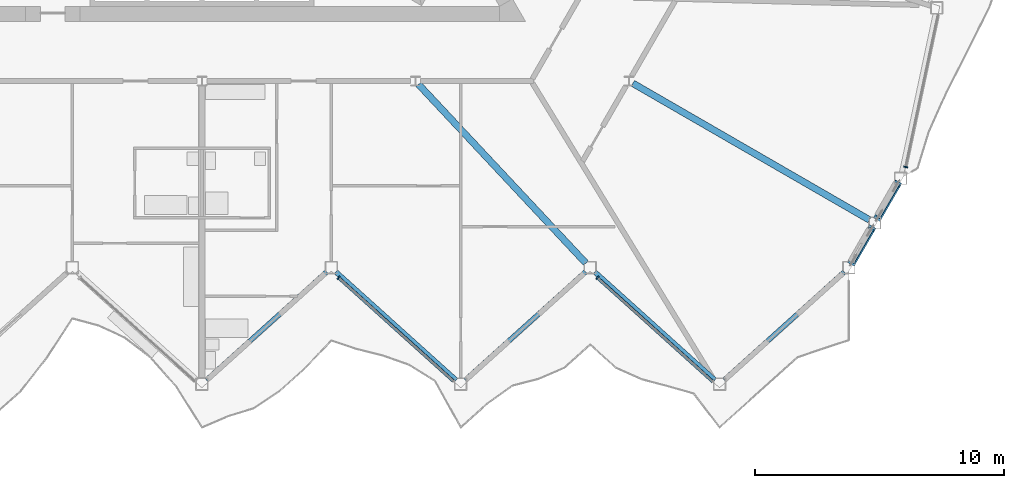
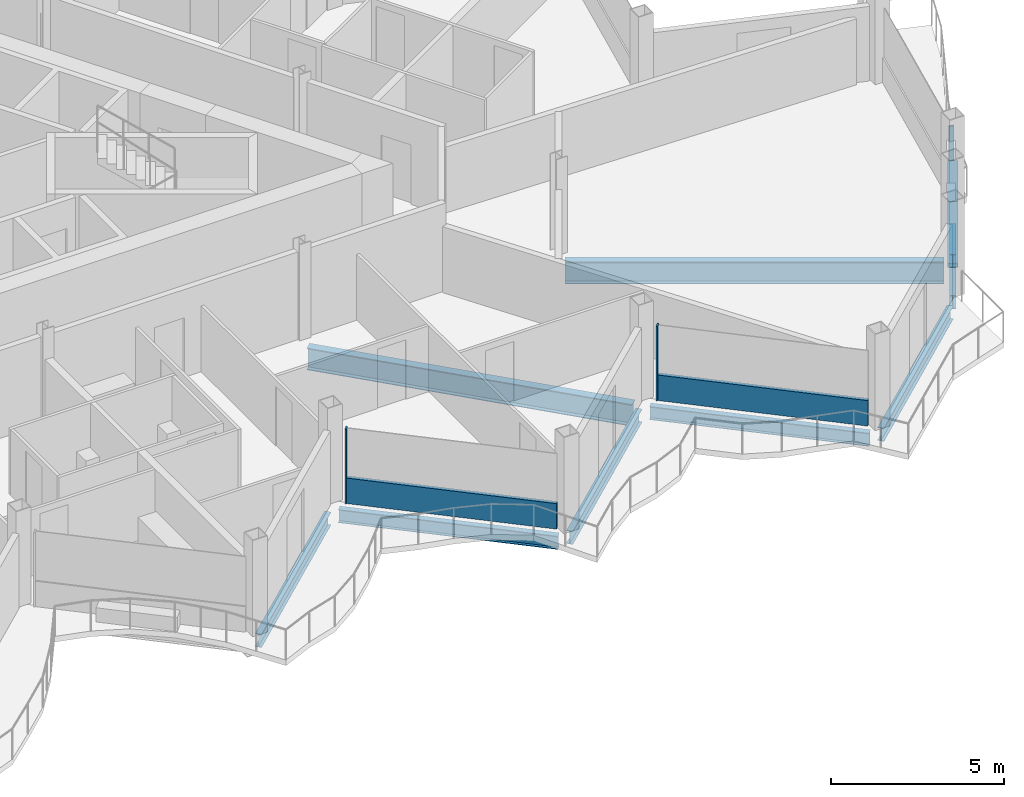
# One storey, part 7 of 26: 9 beams, 7 members, 3 elements without a shape of their own.
"""IFC4 building model written with IfcOpenShell, lengths in metres."""

from ifc_helpers import new_model, si_unit, direction, frame, origin, origin_2d, place, context, subcontext, project, spatial, rectangle, hollow_rectangle, i_section, extrude, material, layer, layer_set, material_profile, profile_set, type_object, element, aggregate, save


model = new_model("IFC4")

# Units and contexts
model_context = context("Model", 3, precision=1e-05, world=origin(), true_north=direction((0.0, 1.0)))
body_context = subcontext(model_context, "Body", "Model", "MODEL_VIEW")
ifc_project = project(units=[si_unit("LENGTHUNIT", "METRE"), si_unit("AREAUNIT", "SQUARE_METRE"), si_unit("VOLUMEUNIT", "CUBIC_METRE"), si_unit("PLANEANGLEUNIT", "RADIAN"), si_unit("MASSUNIT", "GRAM", prefix="KILO")], contexts=[model_context])

# Site, building, storey
site_placement = place(None, origin())
site = spatial("IfcSite", under=ifc_project, at=site_placement, CompositionType="ELEMENT")
building_placement = place(site_placement, origin())
building = spatial("IfcBuilding", under=site, at=building_placement, Name="Cormorant Prow Tower", CompositionType="ELEMENT")
storey_placement = place(building_placement, frame((0.0, 0.0, 398.39990234375)))
storey = spatial("IfcBuildingStorey", under=building, at=storey_placement, Name="L91", CompositionType="ELEMENT", Elevation=398.39990234375)

# Members
ifc_material_1 = material(Name="Structural steel ASTM A500 Gr C", Category="steel")
ifc_material_profile_1 = material_profile(ifc_material_1, hollow_rectangle(XDim=0.3046875, YDim=0.3046875, WallThickness=0.01171875, at=origin_2d()), Name="HSS12x12x1/2")
ifc_profile_set_1 = profile_set([ifc_material_profile_1], Name="Structural steel ASTM A500 Gr C")
member_type_1 = type_object("IfcMemberType", Name="Chamfer brace HSS12x12x1/2", PredefinedType="BRACE", material=ifc_profile_set_1)
member_1_placement = place(storey_placement, frame((26.123291015625, -17.192138671875, 0.770751953125), z_axis=(0.41132825952, 0.712359043209, 0.568641940485), x_axis=(-0.866000359435, 0.500043375578, 0.0)))
element("IfcMember", 1, at=member_1_placement, inside=storey, type_object=member_type_1, Name="Chamfer brace BR3 at ESE00 L91", PredefinedType="BRACE", context=body_context, shape_type="SweptSolid", body=[
    extrude(hollow_rectangle(XDim=0.3046875, YDim=0.3046875, WallThickness=0.01171875, at=origin_2d()), origin(), (0.0, 0.0, 1.0), 1.92138671875),
])
member_2_placement = place(storey_placement, frame((27.160400390625, -15.39599609375, 0.770751953125), z_axis=(0.411259909174, 0.712333680754, 0.568723143867), x_axis=(-0.866028632512, 0.499994407638, 0.0)))
element("IfcMember", 2, at=member_2_placement, inside=storey, type_object=member_type_1, Name="Chamfer brace BR3 at ESE01 L91", PredefinedType="BRACE", context=body_context, shape_type="SweptSolid", body=[
    extrude(hollow_rectangle(XDim=0.3046875, YDim=0.3046875, WallThickness=0.01171875, at=origin_2d()), origin(), (0.0, 0.0, 1.0), 1.921142578125),
])

# Beams
ifc_material_2 = material(Name="Structural steel ASTM A992 Gr 50", Category="steel")
ifc_material_profile_2 = material_profile(ifc_material_2, i_section(OverallWidth=0.267822265625, OverallDepth=0.77001953125, WebThickness=0.015625, FlangeThickness=0.025390625, at=origin_2d()), Name="W30x132")
ifc_profile_set_2 = profile_set([ifc_material_profile_2], Name="Structural steel ASTM A992 Gr 50")
beam_type_1 = type_object("IfcBeamType", Name="Radial floor beam W30x132", PredefinedType="BEAM", material=ifc_profile_set_2)
beam_1_placement = place(storey_placement, frame((8.706298828125, -10.0419921875, -0.684814453125), z_axis=(0.683430760659, -0.730015339144, 0.0), x_axis=(0.730015339144, 0.683430760659, 0.0)))
element("IfcBeam", 3, at=beam_1_placement, inside=storey, type_object=beam_type_1, Name="Radial floor beam FB3 8 L91", PredefinedType="BEAM", context=body_context, shape_type="SweptSolid", body=[
    extrude(i_section(OverallWidth=0.267822265625, OverallDepth=0.77001953125, WebThickness=0.015625, FlangeThickness=0.025390625, at=origin_2d()), origin(), (0.0, 0.0, 1.0), 9.8369140625),
])
beam_2_placement = place(storey_placement, frame((17.31884765625, -9.9990234375, -0.684814453125), z_axis=(0.866018830095, -0.500011385791, 0.0), x_axis=(0.500011385791, 0.866018830095, 0.0)))
element("IfcBeam", 4, at=beam_2_placement, inside=storey, type_object=beam_type_1, Name="Radial floor beam FB3 9 L91", PredefinedType="BEAM", context=body_context, shape_type="SweptSolid", body=[
    extrude(i_section(OverallWidth=0.267822265625, OverallDepth=0.77001953125, WebThickness=0.015625, FlangeThickness=0.025390625, at=origin_2d()), origin(), (0.0, 0.0, 1.0), 10.971435546875),
])

# Curtain wall, member
ifc_material_3 = material(Name="Aluminium 6063-T6", Category="aluminium")
ifc_layer = layer(ifc_material_3, 0.159912109375)
ifc_layer_set = layer_set([ifc_layer], Name="Aluminium 6063-T6")
curtain_wall_type = type_object("IfcCurtainWallType", Name="Residential unitised curtain wall 160", PredefinedType="NOTDEFINED", material=ifc_layer_set)
curtain_wall_1_placement = place(storey_placement, origin())
curtain_wall_1 = element("IfcCurtainWall", 5, at=curtain_wall_1_placement, inside=storey, type_object=curtain_wall_type, Name="Residential curtain wall S06", PredefinedType="NOTDEFINED")
ifc_material_4 = material(Name="Aluminium 6063-T6", Category="aluminium")
ifc_material_profile_3 = material_profile(ifc_material_4, rectangle(XDim=0.159912109375, YDim=0.050048828125, at=origin_2d()), Name="Residential mullion 50x160")
ifc_profile_set_3 = profile_set([ifc_material_profile_3], Name="Aluminium 6063-T6")
member_type_2 = type_object("IfcMemberType", Name="Residential mullion 50x160", PredefinedType="MULLION", material=ifc_profile_set_3)
member_3_placement = place(storey_placement, frame((5.490478515625, -17.810546875, 0.0), z_axis=(0.0, 0.0, 1.0), x_axis=(0.669130603959, 0.743144827638, 0.0)))
member_3 = element("IfcMember", 6, at=member_3_placement, type_object=member_type_2, Name="Residential mullion S06", PredefinedType="MULLION", context=body_context, shape_type="SweptSolid", body=[
    extrude(rectangle(XDim=0.159912109375, YDim=0.050048828125, at=origin_2d()), origin(), (0.0, 0.0, 1.0), 2.634033203125),
])

curtain_wall_2_placement = place(storey_placement, origin())
curtain_wall_2 = element("IfcCurtainWall", 7, at=curtain_wall_2_placement, inside=storey, type_object=curtain_wall_type, Name="Residential curtain wall S08", PredefinedType="NOTDEFINED")
member_4_placement = place(storey_placement, frame((15.890625, -17.810546875, 0.0), z_axis=(0.0, 0.0, 1.0), x_axis=(0.669130603959, 0.743144827638, 0.0)))
member_4 = element("IfcMember", 8, at=member_4_placement, type_object=member_type_2, Name="Residential mullion S08", PredefinedType="MULLION", context=body_context, shape_type="SweptSolid", body=[
    extrude(rectangle(XDim=0.159912109375, YDim=0.050048828125, at=origin_2d()), origin(), (0.0, 0.0, 1.0), 2.634033203125),
])

curtain_wall_3_placement = place(storey_placement, origin())
curtain_wall_3 = element("IfcCurtainWall", 9, at=curtain_wall_3_placement, inside=storey, type_object=curtain_wall_type, Name="Residential curtain wall ENE00", PredefinedType="NOTDEFINED")
member_5_placement = place(storey_placement, frame((28.279052734375, -13.35986328125, 0.0), z_axis=(0.0, 0.0, 1.0), x_axis=(-0.978147615768, 0.207911620089, 0.0)))
member_5 = element("IfcMember", 10, at=member_5_placement, type_object=member_type_2, Name="Residential mullion ENE00", PredefinedType="MULLION", context=body_context, shape_type="SweptSolid", body=[
    extrude(rectangle(XDim=0.159912109375, YDim=0.050048828125, at=origin_2d()), origin(), (0.0, 0.0, 1.0), 2.634033203125),
])
aggregate(curtain_wall_3, [member_5])

# Member
ifc_material_5 = material(Name="Terracotta", Category="masonry")
ifc_material_profile_4 = material_profile(ifc_material_5, rectangle(XDim=0.1201171875, YDim=0.89990234375, at=origin_2d()), Name="Residential terracotta spandrel rail 120x900")
ifc_profile_set_4 = profile_set([ifc_material_profile_4], Name="Terracotta")
member_type_3 = type_object("IfcMemberType", Name="Residential terracotta spandrel rail 120x900", PredefinedType="USERDEFINED", material=ifc_profile_set_4)
member_6_placement = place(storey_placement, frame((5.509033203125, -17.8271484375, 0.4501953125), z_axis=(0.743139827378, -0.669136157269, 0.0), x_axis=(0.669136157269, 0.743139827378, 0.0)))
member_6 = element("IfcMember", 11, at=member_6_placement, type_object=member_type_3, Name="Residential spandrel rail S06", ObjectType="TRANSOM", PredefinedType="USERDEFINED", context=body_context, shape_type="SweptSolid", body=[
    extrude(rectangle(XDim=0.1201171875, YDim=0.89990234375, at=origin_2d()), origin(), (0.0, 0.0, 1.0), 6.21533203125),
])

aggregate(curtain_wall_1, [member_3, member_6])

member_7_placement = place(storey_placement, frame((15.9091796875, -17.8271484375, 0.4501953125), z_axis=(0.743139827378, -0.669136157269, 0.0), x_axis=(0.669136157269, 0.743139827378, 0.0)))
member_7 = element("IfcMember", 12, at=member_7_placement, type_object=member_type_3, Name="Residential spandrel rail S08", ObjectType="TRANSOM", PredefinedType="USERDEFINED", context=body_context, shape_type="SweptSolid", body=[
    extrude(rectangle(XDim=0.1201171875, YDim=0.89990234375, at=origin_2d()), origin(), (0.0, 0.0, 1.0), 6.21533203125),
])

aggregate(curtain_wall_2, [member_4, member_7])

# Beams
ifc_material_6 = material(Name="Structural steel ASTM A992 Gr 50", Category="steel")
ifc_material_profile_5 = material_profile(ifc_material_6, i_section(OverallWidth=0.19287109375, OverallDepth=0.466064453125, WebThickness=0.011474609375, FlangeThickness=0.01904296875, at=origin_2d()), Name="W18x65")
ifc_profile_set_5 = profile_set([ifc_material_profile_5], Name="Structural steel ASTM A992 Gr 50")
beam_type_2 = type_object("IfcBeamType", Name="Spandrel beam W18x65", PredefinedType="SPANDREL", material=ifc_profile_set_5)
for number, where, z_axis, x_axis, name in (
    (13, (0.185791015625, -21.920654296875, -0.532958984375), (0.743131573737, 0.669145323614, 0.0), (-0.669145323614, 0.743131573737, 0.0), "Spandrel beam SB4 S05-S06 L91"),
    (14, (5.3857421875, -17.572998046875, -0.532958984375), (0.743131573737, -0.669145323614, 0.0), (0.669145323614, 0.743131573737, 0.0), "Spandrel beam SB4 S06-S07 L91"),
):
    element("IfcBeam", number, at=place(storey_placement, frame(where, z_axis=z_axis, x_axis=x_axis)), inside=storey, type_object=beam_type_2, Name=name, PredefinedType="SPANDREL", context=body_context, shape_type="SweptSolid", body=[
        extrude(i_section(OverallWidth=0.19287109375, OverallDepth=0.466064453125, WebThickness=0.011474609375, FlangeThickness=0.01904296875, at=origin_2d()), origin(), (0.0, 0.0, 1.0), 6.497314453125),
    ])
beam_3_placement = place(storey_placement, frame((10.585693359375, -21.920654296875, -0.532958984375), z_axis=(0.743148397689, 0.669126638995, 0.0), x_axis=(-0.669126638995, 0.743148397689, 0.0)))
element("IfcBeam", 15, at=beam_3_placement, inside=storey, type_object=beam_type_2, Name="Spandrel beam SB4 S07-S08 L91", PredefinedType="SPANDREL", context=body_context, shape_type="SweptSolid", body=[
    extrude(i_section(OverallWidth=0.19287109375, OverallDepth=0.466064453125, WebThickness=0.011474609375, FlangeThickness=0.01904296875, at=origin_2d()), origin(), (0.0, 0.0, 1.0), 6.49755859375),
])
for number, where, z_axis, x_axis, name in (
    (16, (15.785888671875, -17.572998046875, -0.532958984375), (0.743131573737, -0.669145323614, 0.0), (0.669145323614, 0.743131573737, 0.0), "Spandrel beam SB4 S08-S09 L91"),
    (17, (20.98583984375, -21.920654296875, -0.532958984375), (0.743131573737, 0.669145323614, 0.0), (-0.669145323614, 0.743131573737, 0.0), "Spandrel beam SB4 S09-ESE00 L91"),
):
    element("IfcBeam", number, at=place(storey_placement, frame(where, z_axis=z_axis, x_axis=x_axis)), inside=storey, type_object=beam_type_2, Name=name, PredefinedType="SPANDREL", context=body_context, shape_type="SweptSolid", body=[
        extrude(i_section(OverallWidth=0.19287109375, OverallDepth=0.466064453125, WebThickness=0.011474609375, FlangeThickness=0.01904296875, at=origin_2d()), origin(), (0.0, 0.0, 1.0), 6.497314453125),
    ])
for number, where, z_axis, x_axis, name in (
    (18, (26.125, -17.189208984375, -0.532958984375), (0.499959680857, 0.866048680801, 0.0), (-0.866048680801, 0.499959680857, 0.0), "Spandrel beam SB4 ESE00-ESE01 L91"),
    (19, (27.161865234375, -15.393310546875, -0.532958984375), (0.499959680857, 0.866048680801, 0.0), (-0.866048680801, 0.499959680857, 0.0), "Spandrel beam SB4 ESE01-ENE00 L91"),
):
    element("IfcBeam", number, at=place(storey_placement, frame(where, z_axis=z_axis, x_axis=x_axis)), inside=storey, type_object=beam_type_2, Name=name, PredefinedType="SPANDREL", context=body_context, shape_type="SweptSolid", body=[
        extrude(i_section(OverallWidth=0.19287109375, OverallDepth=0.466064453125, WebThickness=0.011474609375, FlangeThickness=0.01904296875, at=origin_2d()), origin(), (0.0, 0.0, 1.0), 1.573974609375),
    ])

save(model, "model.ifc")
